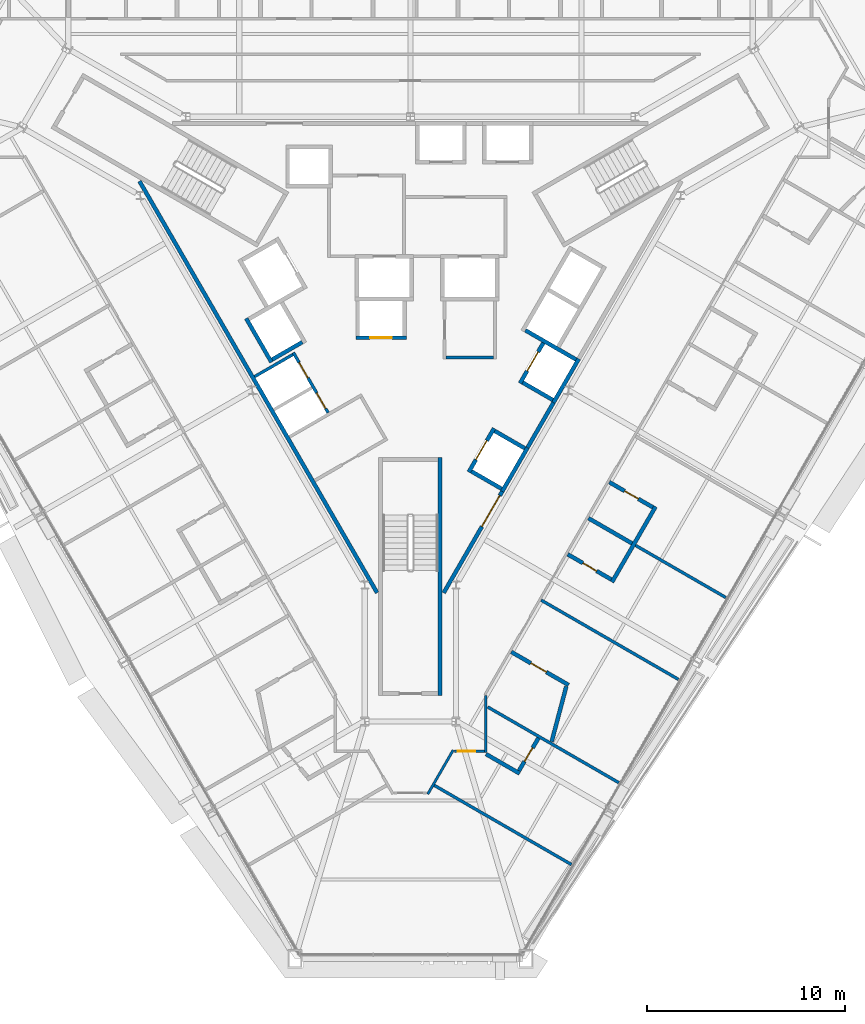
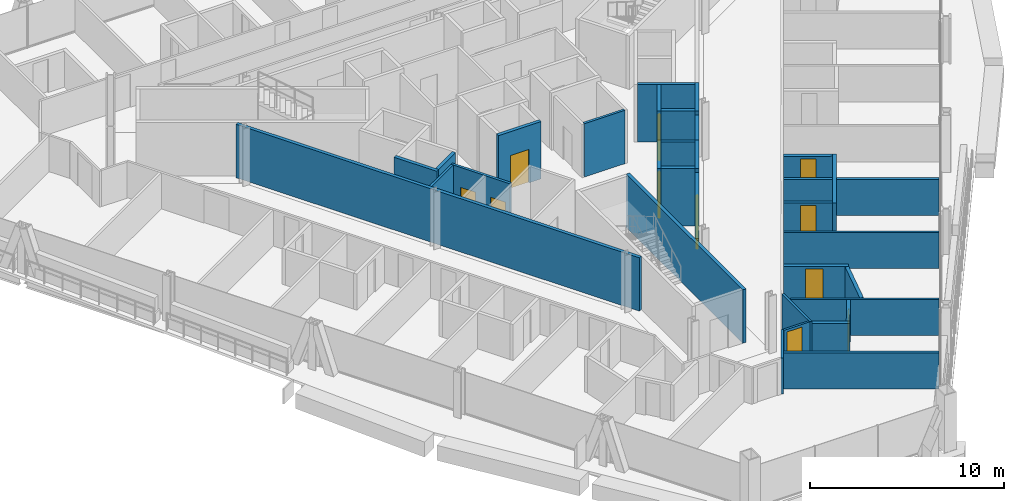
# One storey, part 12 of 18: 33 walls, 11 doors, 11 openings.
"""IFC4 building model written with IfcOpenShell, lengths in metres."""

from ifc_helpers import new_model, si_unit, direction, frame, frame_2d, origin, place, context, subcontext, project, spatial, rectangle, extrude, material, layer, layer_set, type_object, element, fill, save


model = new_model("IFC4")

# Units and contexts
model_context = context("Model", 3, precision=1e-05, world=origin(), true_north=direction((0.0, 1.0)))
body_context = subcontext(model_context, "Body", "Model", "MODEL_VIEW")
ifc_project = project(units=[si_unit("LENGTHUNIT", "METRE"), si_unit("AREAUNIT", "SQUARE_METRE"), si_unit("VOLUMEUNIT", "CUBIC_METRE"), si_unit("PLANEANGLEUNIT", "RADIAN"), si_unit("MASSUNIT", "GRAM", prefix="KILO")], contexts=[model_context])

# Site, building, storey
site_placement = place(None, origin())
site = spatial("IfcSite", under=ifc_project, at=site_placement, CompositionType="ELEMENT")
building_placement = place(site_placement, origin())
building = spatial("IfcBuilding", under=site, at=building_placement, Name="Verrane Prism Tower", CompositionType="ELEMENT")
storey_placement = place(building_placement, frame((0.0, 0.0, 83.60009765625)))
storey = spatial("IfcBuildingStorey", under=building, at=storey_placement, Name="L19", CompositionType="ELEMENT", Elevation=83.60009765625)

# Wall
ifc_material_1 = material(Name="Gypsum board partition", Category="other")
ifc_layer_1 = layer(ifc_material_1, 0.199951171875)
ifc_layer_set_1 = layer_set([ifc_layer_1], Name="CW-200 core boundary wall 2 h")
wall_type_1 = type_object("IfcWallType", Name="CW-200 core boundary wall 2 h", PredefinedType="PARTITIONING", material=ifc_layer_set_1)
wall_1_placement = place(storey_placement, frame((-13.66357421875, 5.946044921875, 0.0), z_axis=(0.0, 0.0, 1.0), x_axis=(0.499994327219, -0.866028678941, 0.0)))
element("IfcWall", 1, at=wall_1_placement, inside=storey, type_object=wall_type_1, Name="Core boundary wall CW3-001", PredefinedType="PARTITIONING", context=body_context, shape_type="SweptSolid", body=[
    extrude(rectangle(XDim=23.967529296875, YDim=0.199951171875, at=frame_2d((11.98388671875, 0.0))), origin(), (0.0, 0.0, 1.0), 3.349853515625),
])

# Wall, opening, door
wall_2_placement = place(storey_placement, frame((1.677490234375, -14.814697265625, 0.0), z_axis=(0.0, 0.0, 1.0), x_axis=(0.49999445743, 0.866028603765, 0.0)))
wall_2 = element("IfcWall", 2, at=wall_2_placement, inside=storey, type_object=wall_type_1, Name="Core boundary wall CW3-003", PredefinedType="PARTITIONING", context=body_context, shape_type="SweptSolid", body=[
    extrude(rectangle(XDim=5.90478515625, YDim=0.199951171875, at=frame_2d((2.952392578125, 0.0))), origin(), (0.0, 0.0, 1.0), 3.349853515625),
])
opening_1_placement = place(wall_2_placement, frame((3.85498046875, 0.0, 0.0)))
opening_1 = element("IfcOpeningElement", 3, at=opening_1_placement, cuts=wall_2, Name="Opening D17517", PredefinedType="OPENING", context=body_context, shape_type="SweptSolid", body=[
    extrude(rectangle(XDim=1.800048828125, YDim=2.10009765625, at=frame_2d((0.89990234375, 1.050048828125))), frame((0.0, 0.10986328125, 0.0), z_axis=(0.0, -1.0, 0.0), x_axis=(1.0, 0.0, 0.0)), (0.0, 0.0, 1.0), 0.219970703125),
])
ifc_material_2 = material(Name="Timber veneered door leaf", Category="wood")
door_type_1 = type_object("IfcDoorType", Name="DR-1800x2100 FD60 double leaf lift lobby", OperationType="NOTDEFINED", PredefinedType="DOOR", material=ifc_material_2)
door_1_placement = place(opening_1_placement, origin())
door_1 = element("IfcDoor", 4, at=door_1_placement, inside=storey, type_object=door_type_1, Name="Lift lobby door D17517", OperationType="DOUBLE_DOOR_SINGLE_SWING", OverallHeight=2.10009765625, OverallWidth=1.800048828125, PredefinedType="DOOR", context=body_context, shape_type="SweptSolid", body=[
    extrude(rectangle(XDim=1.800048828125, YDim=2.10009765625, at=frame_2d((0.89990234375, 1.050048828125))), frame((0.0, 0.02490234375, 0.0), z_axis=(0.0, -1.0, 0.0), x_axis=(1.0, 0.0, 0.0)), (0.0, 0.0, 1.0), 0.050048828125),
])
fill(opening_1, door_1)

# Walls
wall_3_placement = place(storey_placement, frame((5.906005859375, -7.489990234375, 0.0), z_axis=(0.0, 0.0, 1.0), x_axis=(0.500252727967, 0.865879442048, 0.0)))
element("IfcWall", 5, at=wall_3_placement, inside=storey, type_object=wall_type_1, Name="Core boundary wall CW3-005", PredefinedType="PARTITIONING", context=body_context, shape_type="SweptSolid", body=[
    extrude(rectangle(XDim=2.616943359375, YDim=0.199951171875, at=frame_2d((1.30859375, 0.0))), origin(), (0.0, 0.0, 1.0), 3.349853515625),
])
ifc_material_3 = material(Name="Concrete C40/50", Category="concrete")
ifc_layer_2 = layer(ifc_material_3, 0.199951171875)
ifc_layer_set_2 = layer_set([ifc_layer_2], Name="CW-200 stair core wall concrete C40/50 3 h")
wall_type_2 = type_object("IfcWallType", Name="CW-200 stair core wall concrete C40/50 3 h", PredefinedType="PARTITIONING", material=ifc_layer_set_2)
wall_4_placement = place(storey_placement, frame((1.5, -8.0, 0.0), z_axis=(0.0, 0.0, 1.0), x_axis=(0.0, -1.0, 0.0)))
element("IfcWall", 6, at=wall_4_placement, inside=storey, type_object=wall_type_2, Name="Stair 3 enclosure wall", PredefinedType="PARTITIONING", context=body_context, shape_type="SweptSolid", body=[
    extrude(rectangle(XDim=12.0, YDim=0.199951171875, at=frame_2d((6.0, 0.0))), origin(), (0.0, 0.0, 1.0), 3.349853515625),
])

# Wall, opening, door
ifc_material_4 = material(Name="Gypsum board shaft wall assembly", Category="other")
ifc_layer_3 = layer(ifc_material_4, 0.199951171875)
ifc_layer_set_3 = layer_set([ifc_layer_3], Name="HW-200 lift shaft wall 2 h")
wall_type_3 = type_object("IfcWallType", Name="HW-200 lift shaft wall 2 h", PredefinedType="PARTITIONING", material=ifc_layer_set_3)
wall_5_placement = place(storey_placement, frame((-2.7548828125, -1.949951171875, 0.0), z_axis=(0.0, 0.0, 1.0), x_axis=(1.0, 0.0, 0.0)))
wall_5 = element("IfcWall", 7, at=wall_5_placement, inside=storey, type_object=wall_type_3, Name="Lift shaft wall", PredefinedType="PARTITIONING", context=body_context, shape_type="SweptSolid", body=[
    extrude(rectangle(XDim=2.5498046875, YDim=0.199951171875, at=frame_2d((1.27490234375, 0.0))), origin(), (0.0, 0.0, 1.0), 3.599853515625),
])
opening_2_placement = place(wall_5_placement, frame((0.72509765625, 0.0, 0.0)))
opening_2 = element("IfcOpeningElement", 8, at=opening_2_placement, cuts=wall_5, Name="Opening D17504", PredefinedType="OPENING", context=body_context, shape_type="SweptSolid", body=[
    extrude(rectangle(XDim=1.10009765625, YDim=2.10009765625, at=frame_2d((0.550048828125, 1.050048828125))), frame((0.0, 0.10986328125, 0.0), z_axis=(0.0, -1.0, 0.0), x_axis=(1.0, 0.0, 0.0)), (0.0, 0.0, 1.0), 0.219970703125),
])
ifc_material_5 = material(Name="Stainless steel sliding landing door", Category="steel")
door_type_2 = type_object("IfcDoorType", Name="LD-1100x2100 lift landing door FD90 sliding", OperationType="NOTDEFINED", PredefinedType="DOOR", material=ifc_material_5)
door_2_placement = place(opening_2_placement, origin())
door_2 = element("IfcDoor", 9, at=door_2_placement, inside=storey, type_object=door_type_2, Name="Bank A lift 2 landing door", OperationType="SLIDING_TO_RIGHT", OverallHeight=2.10009765625, OverallWidth=1.10009765625, PredefinedType="DOOR", context=body_context, shape_type="SweptSolid", body=[
    extrude(rectangle(XDim=1.10009765625, YDim=2.10009765625, at=frame_2d((0.550048828125, 1.050048828125))), frame((0.0, 0.02490234375, 0.0), z_axis=(0.0, -1.0, 0.0), x_axis=(1.0, 0.0, 0.0)), (0.0, 0.0, 1.0), 0.050048828125),
])
fill(opening_2, door_2)

# Walls
wall_6_placement = place(storey_placement, frame((-6.9697265625, -3.048095703125, 0.0), z_axis=(0.0, 0.0, 1.0), x_axis=(0.866036909293, 0.499980071345, 0.0)))
element("IfcWall", 10, at=wall_6_placement, inside=storey, type_object=wall_type_3, Name="Lift shaft wall", PredefinedType="PARTITIONING", context=body_context, shape_type="SweptSolid", body=[
    extrude(rectangle(XDim=1.75, YDim=0.199951171875, at=frame_2d((0.875, 0.0))), origin(), (0.0, 0.0, 1.0), 3.599853515625),
])
wall_7_placement = place(storey_placement, frame((4.63037109375, -9.69970703125, 0.0), z_axis=(0.0, 0.0, 1.0), x_axis=(0.500062241894, 0.865989465428, 0.0)))
element("IfcWall", 11, at=wall_7_placement, inside=storey, type_object=wall_type_3, Name="Lift shaft wall", PredefinedType="PARTITIONING", context=body_context, shape_type="SweptSolid", body=[
    extrude(rectangle(XDim=2.550048828125, YDim=0.199951171875, at=frame_2d((1.27490234375, 0.0))), origin(), (0.0, 0.0, 1.0), 3.599853515625),
])
wall_8_placement = place(storey_placement, frame((7.215576171875, -5.222412109375, 0.0), z_axis=(0.0, 0.0, 1.0), x_axis=(0.499990435942, 0.866030925526, 0.0)))
element("IfcWall", 12, at=wall_8_placement, inside=storey, type_object=wall_type_3, Name="Lift shaft wall", PredefinedType="PARTITIONING", context=body_context, shape_type="SweptSolid", body=[
    extrude(rectangle(XDim=2.5498046875, YDim=0.199951171875, at=frame_2d((1.27490234375, 0.0))), origin(), (0.0, 0.0, 1.0), 3.599853515625),
])

# Wall, opening, door
wall_9_placement = place(storey_placement, frame((2.941650390625, -8.724853515625, 0.0), z_axis=(0.0, 0.0, 1.0), x_axis=(0.500020783669, 0.866013403995, 0.0)))
wall_9 = element("IfcWall", 13, at=wall_9_placement, inside=storey, type_object=wall_type_3, Name="Lift shaft wall", PredefinedType="PARTITIONING", context=body_context, shape_type="SweptSolid", body=[
    extrude(rectangle(XDim=2.55029296875, YDim=0.199951171875, at=frame_2d((1.275146484375, 0.0))), origin(), (0.0, 0.0, 1.0), 3.599853515625),
])
opening_3_placement = place(wall_9_placement, frame((0.72509765625, 0.0, 0.0)))
opening_3 = element("IfcOpeningElement", 14, at=opening_3_placement, cuts=wall_9, Name="Opening D17506", PredefinedType="OPENING", context=body_context, shape_type="SweptSolid", body=[
    extrude(rectangle(XDim=1.10009765625, YDim=2.10009765625, at=frame_2d((0.550048828125, 1.050048828125))), frame((0.0, 0.10986328125, 0.0), z_axis=(0.0, -1.0, 0.0), x_axis=(1.0, 0.0, 0.0)), (0.0, 0.0, 1.0), 0.219970703125),
])
door_3_placement = place(opening_3_placement, origin())
door_3 = element("IfcDoor", 15, at=door_3_placement, inside=storey, type_object=door_type_2, Name="Bank A lift 4 landing door", OperationType="SLIDING_TO_RIGHT", OverallHeight=2.10009765625, OverallWidth=1.10009765625, PredefinedType="DOOR", context=body_context, shape_type="SweptSolid", body=[
    extrude(rectangle(XDim=1.10009765625, YDim=2.10009765625, at=frame_2d((0.550048828125, 1.050048828125))), frame((0.0, 0.02490234375, 0.0), z_axis=(0.0, -1.0, 0.0), x_axis=(1.0, 0.0, 0.0)), (0.0, 0.0, 1.0), 0.050048828125),
])
fill(opening_3, door_3)

wall_10_placement = place(storey_placement, frame((5.52685546875, -4.247314453125, 0.0), z_axis=(0.0, 0.0, 1.0), x_axis=(0.499938297808, 0.866061024631, 0.0)))
wall_10 = element("IfcWall", 16, at=wall_10_placement, inside=storey, type_object=wall_type_3, Name="Lift shaft wall", PredefinedType="PARTITIONING", context=body_context, shape_type="SweptSolid", body=[
    extrude(rectangle(XDim=2.349853515625, YDim=0.199951171875, at=frame_2d((1.1748046875, 0.0))), origin(), (0.0, 0.0, 1.0), 3.599853515625),
])
opening_4_placement = place(wall_10_placement, frame((0.72509765625, 0.0, 0.0)))
opening_4 = element("IfcOpeningElement", 17, at=opening_4_placement, cuts=wall_10, Name="Opening D17507", PredefinedType="OPENING", context=body_context, shape_type="SweptSolid", body=[
    extrude(rectangle(XDim=1.10009765625, YDim=2.10009765625, at=frame_2d((0.550048828125, 1.050048828125))), frame((0.0, 0.10986328125, 0.0), z_axis=(0.0, -1.0, 0.0), x_axis=(1.0, 0.0, 0.0)), (0.0, 0.0, 1.0), 0.219970703125),
])
door_4_placement = place(opening_4_placement, origin())
door_4 = element("IfcDoor", 18, at=door_4_placement, inside=storey, type_object=door_type_2, Name="Bank A lift 5 landing door", OperationType="SLIDING_TO_LEFT", OverallHeight=2.10009765625, OverallWidth=1.10009765625, PredefinedType="DOOR", context=body_context, shape_type="SweptSolid", body=[
    extrude(rectangle(XDim=1.10009765625, YDim=2.10009765625, at=frame_2d((0.550048828125, 1.050048828125))), frame((0.0, 0.02490234375, 0.0), z_axis=(0.0, -1.0, 0.0), x_axis=(1.0, 0.0, 0.0)), (0.0, 0.0, 1.0), 0.050048828125),
])
fill(opening_4, door_4)

# Walls
wall_11_placement = place(storey_placement, frame((-7.00634765625, -3.184814453125, 0.0), z_axis=(0.0, 0.0, 1.0), x_axis=(-0.499990435942, 0.866030925526, 0.0)))
element("IfcWall", 19, at=wall_11_placement, inside=storey, type_object=wall_type_3, Name="Lift shaft wall", PredefinedType="PARTITIONING", context=body_context, shape_type="SweptSolid", body=[
    extrude(rectangle(XDim=2.5498046875, YDim=0.199951171875, at=frame_2d((1.27490234375, 0.0))), origin(), (0.0, 0.0, 1.0), 3.599853515625),
])
wall_12_placement = place(storey_placement, frame((8.35400390625, -3.050537109375, 0.0), z_axis=(0.0, 0.0, 1.0), x_axis=(-0.866060182126, 0.499939757307, 0.0)))
element("IfcWall", 20, at=wall_12_placement, inside=storey, type_object=wall_type_3, Name="Lift shaft wall", PredefinedType="PARTITIONING", context=body_context, shape_type="SweptSolid", body=[
    extrude(rectangle(XDim=2.949951171875, YDim=0.199951171875, at=frame_2d((1.47509765625, 0.0))), origin(), (0.0, 0.0, 1.0), 3.599853515625),
])
wall_13_placement = place(storey_placement, frame((7.178955078125, -5.085693359375, 0.0), z_axis=(0.0, 0.0, 1.0), x_axis=(-0.866036909293, 0.499980071345, 0.0)))
element("IfcWall", 21, at=wall_13_placement, inside=storey, type_object=wall_type_3, Name="Lift shaft wall", PredefinedType="PARTITIONING", context=body_context, shape_type="SweptSolid", body=[
    extrude(rectangle(XDim=1.75, YDim=0.199951171875, at=frame_2d((0.875, 0.0))), origin(), (0.0, 0.0, 1.0), 3.599853515625),
])
wall_14_placement = place(storey_placement, frame((5.768798828125, -7.528076171875, 0.0), z_axis=(0.0, 0.0, 1.0), x_axis=(-0.866002029911, 0.500040482552, 0.0)))
element("IfcWall", 22, at=wall_14_placement, inside=storey, type_object=wall_type_3, Name="Lift shaft wall", PredefinedType="PARTITIONING", context=body_context, shape_type="SweptSolid", body=[
    extrude(rectangle(XDim=1.749755859375, YDim=0.199951171875, at=frame_2d((0.875, 0.0))), origin(), (0.0, 0.0, 1.0), 3.599853515625),
])
wall_15_placement = place(storey_placement, frame((4.593994140625, -9.563232421875, 0.0), z_axis=(0.0, 0.0, 1.0), x_axis=(-0.866036909293, 0.499980071345, 0.0)))
element("IfcWall", 23, at=wall_15_placement, inside=storey, type_object=wall_type_3, Name="Lift shaft wall", PredefinedType="PARTITIONING", context=body_context, shape_type="SweptSolid", body=[
    extrude(rectangle(XDim=1.75, YDim=0.199951171875, at=frame_2d((0.875, 0.0))), origin(), (0.0, 0.0, 1.0), 3.599853515625),
])
ifc_material_6 = material(Name="Gypsum board partition", Category="other")
ifc_layer_4 = layer(ifc_material_6, 0.125)
ifc_layer_set_4 = layer_set([ifc_layer_4], Name="PW-125 corridor wall 1 h")
wall_type_4 = type_object("IfcWallType", Name="PW-125 corridor wall 1 h", PredefinedType="PARTITIONING", material=ifc_layer_set_4)
wall_16_placement = place(storey_placement, frame((0.876708984375, -24.962158203125, 0.0), z_axis=(0.0, 0.0, 1.0), x_axis=(0.500063308241, 0.865988849669, 0.0)))
element("IfcWall", 24, at=wall_16_placement, inside=storey, type_object=wall_type_4, Name="Corridor wall 049", PredefinedType="PARTITIONING", context=body_context, shape_type="SweptSolid", body=[
    extrude(rectangle(XDim=2.562744140625, YDim=0.125, at=frame_2d((1.28125, 0.0))), origin(), (0.0, 0.0, 1.0), 2.261962890625),
])

# Wall, opening, door
wall_17_placement = place(storey_placement, frame((3.73193359375, -22.797119140625, 0.0), z_axis=(0.0, 0.0, 1.0), x_axis=(-1.0, 0.0, 0.0)))
wall_17 = element("IfcWall", 25, at=wall_17_placement, inside=storey, type_object=wall_type_4, Name="Corridor wall 051", PredefinedType="PARTITIONING", context=body_context, shape_type="SweptSolid", body=[
    extrude(rectangle(XDim=1.52001953125, YDim=0.125, at=frame_2d((0.760009765625, 0.0))), origin(), (0.0, 0.0, 1.0), 2.261962890625),
])
opening_5_placement = place(wall_17_placement, frame((0.455078125, 0.0, 0.0)))
opening_5 = element("IfcOpeningElement", 26, at=opening_5_placement, cuts=wall_17, Name="Opening D17001", PredefinedType="OPENING", context=body_context, shape_type="SweptSolid", body=[
    extrude(rectangle(XDim=0.89990234375, YDim=2.10009765625, at=frame_2d((0.449951171875, 1.050048828125))), frame((0.0, 0.072509765625, 0.0), z_axis=(0.0, -1.0, 0.0), x_axis=(1.0, 0.0, 0.0)), (0.0, 0.0, 1.0), 0.14501953125),
])
ifc_material_7 = material(Name="Timber veneered door leaf", Category="wood")
door_type_3 = type_object("IfcDoorType", Name="DR-900x2100 FD20 single leaf unit", OperationType="NOTDEFINED", PredefinedType="DOOR", material=ifc_material_7)
door_5_placement = place(opening_5_placement, origin())
door_5 = element("IfcDoor", 27, at=door_5_placement, inside=storey, type_object=door_type_3, Name="Guest Room door", OperationType="SINGLE_SWING_LEFT", OverallHeight=2.10009765625, OverallWidth=0.89990234375, PredefinedType="DOOR", context=body_context, shape_type="SweptSolid", body=[
    extrude(rectangle(XDim=0.89990234375, YDim=2.10009765625, at=frame_2d((0.449951171875, 1.050048828125))), frame((0.0, 0.02490234375, 0.0), z_axis=(0.0, -1.0, 0.0), x_axis=(1.0, 0.0, 0.0)), (0.0, 0.0, 1.0), 0.050048828125),
])
fill(opening_5, door_5)

# Walls
wall_18_placement = place(storey_placement, frame((3.797119140625, -22.859619140625, 0.0), z_axis=(0.0, 0.0, 1.0), x_axis=(0.0, 1.0, 0.0)))
element("IfcWall", 28, at=wall_18_placement, inside=storey, type_object=wall_type_4, Name="Corridor wall 054", PredefinedType="PARTITIONING", context=body_context, shape_type="SweptSolid", body=[
    extrude(rectangle(XDim=2.87060546875, YDim=0.125, at=frame_2d((1.435302734375, 0.0))), origin(), (0.0, 0.0, 1.0), 2.261962890625),
])
ifc_material_8 = material(Name="Gypsum board partition", Category="other")
ifc_layer_5 = layer(ifc_material_8, 0.14990234375)
ifc_layer_set_5 = layer_set([ifc_layer_5], Name="PW-150 demising wall 1 h")
wall_type_5 = type_object("IfcWallType", Name="PW-150 demising wall 1 h", PredefinedType="PARTITIONING", material=ifc_layer_set_5)
wall_19_placement = place(storey_placement, frame((1.203125, -24.522216796875, 0.0), z_axis=(0.0, 0.0, 1.0), x_axis=(0.866021771655, -0.500006290979, 0.0)))
element("IfcWall", 29, at=wall_19_placement, inside=storey, type_object=wall_type_5, Name="Demising wall 050", PredefinedType="PARTITIONING", context=body_context, shape_type="SweptSolid", body=[
    extrude(rectangle(XDim=7.99169921875, YDim=0.14990234375, at=frame_2d((3.995849609375, 0.0))), origin(), (0.0, 0.0, 1.0), 2.261962890625),
])
wall_20_placement = place(storey_placement, frame((3.89697265625, -20.56982421875, 0.0), z_axis=(0.0, 0.0, 1.0), x_axis=(0.866030628547, -0.499990950336, 0.0)))
element("IfcWall", 30, at=wall_20_placement, inside=storey, type_object=wall_type_5, Name="Demising wall 055", PredefinedType="PARTITIONING", context=body_context, shape_type="SweptSolid", body=[
    extrude(rectangle(XDim=7.635009765625, YDim=0.14990234375, at=frame_2d((3.8173828125, 0.0))), origin(), (0.0, 0.0, 1.0), 2.261962890625),
])
wall_21_placement = place(storey_placement, frame((6.59521484375, -15.183349609375, 0.0), z_axis=(0.0, 0.0, 1.0), x_axis=(0.866014133745, -0.500019519773, 0.0)))
element("IfcWall", 31, at=wall_21_placement, inside=storey, type_object=wall_type_5, Name="Demising wall 060", PredefinedType="PARTITIONING", context=body_context, shape_type="SweptSolid", body=[
    extrude(rectangle(XDim=7.991455078125, YDim=0.14990234375, at=frame_2d((3.99560546875, 0.0))), origin(), (0.0, 0.0, 1.0), 2.261962890625),
])
wall_22_placement = place(storey_placement, frame((11.35498046875, -12.423583984375, 0.0), z_axis=(0.0, 0.0, 1.0), x_axis=(0.866030680601, -0.499990860175, 0.0)))
element("IfcWall", 32, at=wall_22_placement, inside=storey, type_object=wall_type_5, Name="Demising wall 070", PredefinedType="PARTITIONING", context=body_context, shape_type="SweptSolid", body=[
    extrude(rectangle(XDim=5.2490234375, YDim=0.14990234375, at=frame_2d((2.62451171875, 0.0))), origin(), (0.0, 0.0, 1.0), 2.261962890625),
])
ifc_material_9 = material(Name="Gypsum board partition", Category="other")
ifc_layer_6 = layer(ifc_material_9, 0.199951171875)
ifc_layer_set_6 = layer_set([ifc_layer_6], Name="PW-200 plumbing wall")
wall_type_6 = type_object("IfcWallType", Name="PW-200 plumbing wall", PredefinedType="PARTITIONING", material=ifc_layer_set_6)
wall_23_placement = place(storey_placement, frame((3.813232421875, -22.946044921875, 0.0), z_axis=(0.0, 0.0, 1.0), x_axis=(0.865944380701, -0.500140309845, 0.0)))
element("IfcWall", 33, at=wall_23_placement, inside=storey, type_object=wall_type_6, Name="Plumbing wall 053", PredefinedType="PARTITIONING", context=body_context, shape_type="SweptSolid", body=[
    extrude(rectangle(XDim=1.95556640625, YDim=0.199951171875, at=frame_2d((0.977783203125, 0.0))), origin(), (0.0, 0.0, 1.0), 2.261962890625),
])

# Wall, opening, door
wall_24_placement = place(storey_placement, frame((7.978515625, -19.4619140625, 0.0), z_axis=(0.0, 0.0, 1.0), x_axis=(-0.866033317326, 0.499986293093, 0.0)))
wall_24 = element("IfcWall", 34, at=wall_24_placement, inside=storey, type_object=wall_type_6, Name="Plumbing wall 058", PredefinedType="PARTITIONING", context=body_context, shape_type="SweptSolid", body=[
    extrude(rectangle(XDim=3.33740234375, YDim=0.199951171875, at=frame_2d((1.668701171875, 0.0))), origin(), (0.0, 0.0, 1.0), 2.261962890625),
])
opening_6_placement = place(wall_24_placement, frame((1.300048828125, 0.0, 0.0)))
opening_6 = element("IfcOpeningElement", 35, at=opening_6_placement, cuts=wall_24, Name="Opening D17004", PredefinedType="OPENING", context=body_context, shape_type="SweptSolid", body=[
    extrude(rectangle(XDim=0.89990234375, YDim=2.10009765625, at=frame_2d((0.449951171875, 1.050048828125))), frame((0.0, 0.10986328125, 0.0), z_axis=(0.0, -1.0, 0.0), x_axis=(1.0, 0.0, 0.0)), (0.0, 0.0, 1.0), 0.219970703125),
])
ifc_material_10 = material(Name="Timber veneered door leaf", Category="wood")
door_type_4 = type_object("IfcDoorType", Name="DR-900x2100 single leaf bath", OperationType="NOTDEFINED", PredefinedType="DOOR", material=ifc_material_10)
door_6_placement = place(opening_6_placement, origin())
door_6 = element("IfcDoor", 36, at=door_6_placement, inside=storey, type_object=door_type_4, Name="En-Suite door", OperationType="SINGLE_SWING_LEFT", OverallHeight=2.10009765625, OverallWidth=0.89990234375, PredefinedType="DOOR", context=body_context, shape_type="SweptSolid", body=[
    extrude(rectangle(XDim=0.89990234375, YDim=2.10009765625, at=frame_2d((0.449951171875, 1.050048828125))), frame((0.0, 0.02490234375, 0.0), z_axis=(0.0, -1.0, 0.0), x_axis=(1.0, 0.0, 0.0)), (0.0, 0.0, 1.0), 0.050048828125),
])
fill(opening_6, door_6)

wall_25_placement = place(storey_placement, frame((5.473876953125, -23.783935546875, 0.0), z_axis=(0.0, 0.0, 1.0), x_axis=(0.512791921509, 0.858512926656, 0.0)))
wall_25 = element("IfcWall", 37, at=wall_25_placement, inside=storey, type_object=wall_type_6, Name="Plumbing wall 059", PredefinedType="PARTITIONING", context=body_context, shape_type="SweptSolid", body=[
    extrude(rectangle(XDim=1.918701171875, YDim=0.199951171875, at=frame_2d((0.95947265625, 0.0))), origin(), (0.0, 0.0, 1.0), 2.261962890625),
])
opening_7_placement = place(wall_25_placement, frame((0.544921875, 0.0, 0.0)))
opening_7 = element("IfcOpeningElement", 38, at=opening_7_placement, cuts=wall_25, Name="Opening D17002", PredefinedType="OPENING", context=body_context, shape_type="SweptSolid", body=[
    extrude(rectangle(XDim=0.800048828125, YDim=2.10009765625, at=frame_2d((0.39990234375, 1.050048828125))), frame((0.0, 0.10986328125, 0.0), z_axis=(0.0, -1.0, 0.0), x_axis=(1.0, 0.0, 0.0)), (0.0, 0.0, 1.0), 0.219970703125),
])
ifc_material_11 = material(Name="Timber veneered door leaf", Category="wood")
door_type_5 = type_object("IfcDoorType", Name="DR-800x2100 single leaf bath", OperationType="NOTDEFINED", PredefinedType="DOOR", material=ifc_material_11)
door_7_placement = place(opening_7_placement, origin())
door_7 = element("IfcDoor", 39, at=door_7_placement, inside=storey, type_object=door_type_5, Name="En-Suite door", OperationType="SINGLE_SWING_LEFT", OverallHeight=2.10009765625, OverallWidth=0.800048828125, PredefinedType="DOOR", context=body_context, shape_type="SweptSolid", body=[
    extrude(rectangle(XDim=0.800048828125, YDim=2.10009765625, at=frame_2d((0.39990234375, 1.050048828125))), frame((0.0, 0.02490234375, 0.0), z_axis=(0.0, -1.0, 0.0), x_axis=(1.0, 0.0, 0.0)), (0.0, 0.0, 1.0), 0.050048828125),
])
fill(opening_7, door_7)

# Wall
wall_26_placement = place(storey_placement, frame((7.123779296875, -22.316650390625, 0.0), z_axis=(0.0, 0.0, 1.0), x_axis=(0.255720101769, 0.966750862193, 0.0)))
element("IfcWall", 40, at=wall_26_placement, inside=storey, type_object=wall_type_6, Name="Plumbing wall 061", PredefinedType="PARTITIONING", context=body_context, shape_type="SweptSolid", body=[
    extrude(rectangle(XDim=2.87939453125, YDim=0.199951171875, at=frame_2d((1.439697265625, 0.0))), origin(), (0.0, 0.0, 1.0), 2.261962890625),
])

# Wall, opening, door
wall_27_placement = place(storey_placement, frame((7.9345703125, -12.872802734375, 0.0), z_axis=(0.0, 0.0, 1.0), x_axis=(0.866015388607, -0.500017346395, 0.0)))
wall_27 = element("IfcWall", 41, at=wall_27_placement, inside=storey, type_object=wall_type_6, Name="Plumbing wall 064", PredefinedType="PARTITIONING", context=body_context, shape_type="SweptSolid", body=[
    extrude(rectangle(XDim=2.5322265625, YDim=0.199951171875, at=frame_2d((1.26611328125, 0.0))), origin(), (0.0, 0.0, 1.0), 2.261962890625),
])
opening_8_placement = place(wall_27_placement, frame((0.882568359375, 0.0, 0.0)))
opening_8 = element("IfcOpeningElement", 42, at=opening_8_placement, cuts=wall_27, Name="Opening D17006", PredefinedType="OPENING", context=body_context, shape_type="SweptSolid", body=[
    extrude(rectangle(XDim=0.800048828125, YDim=2.10009765625, at=frame_2d((0.39990234375, 1.050048828125))), frame((0.0, 0.10986328125, 0.0), z_axis=(0.0, -1.0, 0.0), x_axis=(1.0, 0.0, 0.0)), (0.0, 0.0, 1.0), 0.219970703125),
])
door_8_placement = place(opening_8_placement, origin())
door_8 = element("IfcDoor", 43, at=door_8_placement, inside=storey, type_object=door_type_5, Name="En-Suite door", OperationType="SINGLE_SWING_LEFT", OverallHeight=2.10009765625, OverallWidth=0.800048828125, PredefinedType="DOOR", context=body_context, shape_type="SweptSolid", body=[
    extrude(rectangle(XDim=0.800048828125, YDim=2.10009765625, at=frame_2d((0.39990234375, 1.050048828125))), frame((0.0, 0.02490234375, 0.0), z_axis=(0.0, -1.0, 0.0), x_axis=(1.0, 0.0, 0.0)), (0.0, 0.0, 1.0), 0.050048828125),
])
fill(opening_8, door_8)

# Wall
wall_28_placement = place(storey_placement, frame((8.980224609375, -11.05224609375, 0.0), z_axis=(0.0, 0.0, 1.0), x_axis=(0.865990087344, -0.500061164881, 0.0)))
element("IfcWall", 44, at=wall_28_placement, inside=storey, type_object=wall_type_6, Name="Plumbing wall 065", PredefinedType="PARTITIONING", context=body_context, shape_type="SweptSolid", body=[
    extrude(rectangle(XDim=2.537353515625, YDim=0.199951171875, at=frame_2d((1.2685546875, 0.0))), origin(), (0.0, 0.0, 1.0), 2.261962890625),
])

# Wall, opening, door
wall_29_placement = place(storey_placement, frame((12.228271484375, -10.501953125, 0.0), z_axis=(0.0, 0.0, 1.0), x_axis=(-0.866111763775, 0.499850390267, 0.0)))
wall_29 = element("IfcWall", 45, at=wall_29_placement, inside=storey, type_object=wall_type_6, Name="Plumbing wall 068", PredefinedType="PARTITIONING", context=body_context, shape_type="SweptSolid", body=[
    extrude(rectangle(XDim=2.532958984375, YDim=0.199951171875, at=frame_2d((1.2666015625, 0.0))), origin(), (0.0, 0.0, 1.0), 2.261962890625),
])
opening_9_placement = place(wall_29_placement, frame((0.8505859375, 0.0, 0.0)))
opening_9 = element("IfcOpeningElement", 46, at=opening_9_placement, cuts=wall_29, Name="Opening D17008", PredefinedType="OPENING", context=body_context, shape_type="SweptSolid", body=[
    extrude(rectangle(XDim=0.800048828125, YDim=2.10009765625, at=frame_2d((0.39990234375, 1.050048828125))), frame((0.0, 0.10986328125, 0.0), z_axis=(0.0, -1.0, 0.0), x_axis=(1.0, 0.0, 0.0)), (0.0, 0.0, 1.0), 0.219970703125),
])
door_9_placement = place(opening_9_placement, origin())
door_9 = element("IfcDoor", 47, at=door_9_placement, inside=storey, type_object=door_type_5, Name="En-Suite door", OperationType="SINGLE_SWING_LEFT", OverallHeight=2.10009765625, OverallWidth=0.800048828125, PredefinedType="DOOR", context=body_context, shape_type="SweptSolid", body=[
    extrude(rectangle(XDim=0.800048828125, YDim=2.10009765625, at=frame_2d((0.39990234375, 1.050048828125))), frame((0.0, 0.02490234375, 0.0), z_axis=(0.0, -1.0, 0.0), x_axis=(1.0, 0.0, 0.0)), (0.0, 0.0, 1.0), 0.050048828125),
])
fill(opening_9, door_9)

# Walls
wall_30_placement = place(storey_placement, frame((10.1640625, -14.275634765625, 0.0), z_axis=(0.0, 0.0, 1.0), x_axis=(0.50017868667, 0.865922214405, 0.0)))
element("IfcWall", 48, at=wall_30_placement, inside=storey, type_object=wall_type_6, Name="Plumbing wall 069", PredefinedType="PARTITIONING", context=body_context, shape_type="SweptSolid", body=[
    extrude(rectangle(XDim=4.400390625, YDim=0.199951171875, at=frame_2d((2.2001953125, 0.0))), origin(), (0.0, 0.0, 1.0), 2.261962890625),
])
ifc_material_12 = material(Name="Gypsum board partition", Category="other")
ifc_layer_7 = layer(ifc_material_12, 0.14990234375)
ifc_layer_set_7 = layer_set([ifc_layer_7], Name="RS-150 riser enclosure wall 1 h")
wall_type_7 = type_object("IfcWallType", Name="RS-150 riser enclosure wall 1 h", PredefinedType="PARTITIONING", material=ifc_layer_set_7)
wall_31_placement = place(storey_placement, frame((-7.8564453125, -3.912109375, 0.0), z_axis=(0.0, 0.0, 1.0), x_axis=(0.865971748, 0.500092923031, 0.0)))
element("IfcWall", 49, at=wall_31_placement, inside=storey, type_object=wall_type_7, Name="Riser wall RS3-001", PredefinedType="PARTITIONING", context=body_context, shape_type="SweptSolid", body=[
    extrude(rectangle(XDim=2.224609375, YDim=0.14990234375, at=frame_2d((1.1123046875, 0.0))), origin(), (0.0, 0.0, 1.0), 3.349853515625),
])

# Wall, openings, doors
wall_32_placement = place(storey_placement, frame((-4.152099609375, -5.728759765625, 0.0), z_axis=(0.0, 0.0, 1.0), x_axis=(-0.500024287448, 0.866011380966, 0.0)))
wall_32 = element("IfcWall", 50, at=wall_32_placement, inside=storey, type_object=wall_type_7, Name="Riser wall RS3-004", PredefinedType="PARTITIONING", context=body_context, shape_type="SweptSolid", body=[
    extrude(rectangle(XDim=3.500732421875, YDim=0.14990234375, at=frame_2d((1.75048828125, 0.0))), origin(), (0.0, 0.0, 1.0), 3.349853515625),
])
opening_10_placement = place(wall_32_placement, frame((2.025634765625, 0.0, 0.0)))
opening_10 = element("IfcOpeningElement", 51, at=opening_10_placement, cuts=wall_32, Name="Opening D17512", PredefinedType="OPENING", context=body_context, shape_type="SweptSolid", body=[
    extrude(rectangle(XDim=0.89990234375, YDim=2.10009765625, at=frame_2d((0.449951171875, 1.050048828125))), frame((0.0, 0.0849609375, 0.0), z_axis=(0.0, -1.0, 0.0), x_axis=(1.0, 0.0, 0.0)), (0.0, 0.0, 1.0), 0.169921875),
])
opening_11_placement = place(wall_32_placement, frame((0.247802734375, 0.0, 0.0)))
opening_11 = element("IfcOpeningElement", 52, at=opening_11_placement, cuts=wall_32, Name="Opening D17513", PredefinedType="OPENING", context=body_context, shape_type="SweptSolid", body=[
    extrude(rectangle(XDim=0.89990234375, YDim=2.10009765625, at=frame_2d((0.449951171875, 1.050048828125))), frame((0.0, 0.0849609375, 0.0), z_axis=(0.0, -1.0, 0.0), x_axis=(1.0, 0.0, 0.0)), (0.0, 0.0, 1.0), 0.169921875),
])
ifc_material_13 = material(Name="Timber veneered door leaf", Category="wood")
door_type_6 = type_object("IfcDoorType", Name="DR-900x2100 FD60 single leaf riser", OperationType="NOTDEFINED", PredefinedType="DOOR", material=ifc_material_13)
door_10_placement = place(opening_10_placement, origin())
door_10 = element("IfcDoor", 53, at=door_10_placement, inside=storey, type_object=door_type_6, Name="Riser door D17512", OperationType="SINGLE_SWING_RIGHT", OverallHeight=2.10009765625, OverallWidth=0.89990234375, PredefinedType="DOOR", context=body_context, shape_type="SweptSolid", body=[
    extrude(rectangle(XDim=0.89990234375, YDim=2.10009765625, at=frame_2d((0.449951171875, 1.050048828125))), frame((0.0, 0.02490234375, 0.0), z_axis=(0.0, -1.0, 0.0), x_axis=(1.0, 0.0, 0.0)), (0.0, 0.0, 1.0), 0.050048828125),
])
fill(opening_10, door_10)
door_11_placement = place(opening_11_placement, origin())
door_11 = element("IfcDoor", 54, at=door_11_placement, inside=storey, type_object=door_type_6, Name="Riser door D17513", OperationType="SINGLE_SWING_LEFT", OverallHeight=2.10009765625, OverallWidth=0.89990234375, PredefinedType="DOOR", context=body_context, shape_type="SweptSolid", body=[
    extrude(rectangle(XDim=0.89990234375, YDim=2.10009765625, at=frame_2d((0.449951171875, 1.050048828125))), frame((0.0, 0.02490234375, 0.0), z_axis=(0.0, -1.0, 0.0), x_axis=(1.0, 0.0, 0.0)), (0.0, 0.0, 1.0), 0.050048828125),
])
fill(opening_11, door_11)

# Wall
wall_33_placement = place(storey_placement, frame((1.800048828125, -2.949951171875, 0.0), z_axis=(0.0, 0.0, 1.0), x_axis=(1.0, 0.0, 0.0)))
element("IfcWall", 55, at=wall_33_placement, inside=storey, type_object=wall_type_7, Name="Riser wall RS3-008", PredefinedType="PARTITIONING", context=body_context, shape_type="SweptSolid", body=[
    extrude(rectangle(XDim=2.39990234375, YDim=0.14990234375, at=frame_2d((1.199951171875, 0.0))), origin(), (0.0, 0.0, 1.0), 3.349853515625),
])

save(model, "model.ifc")
